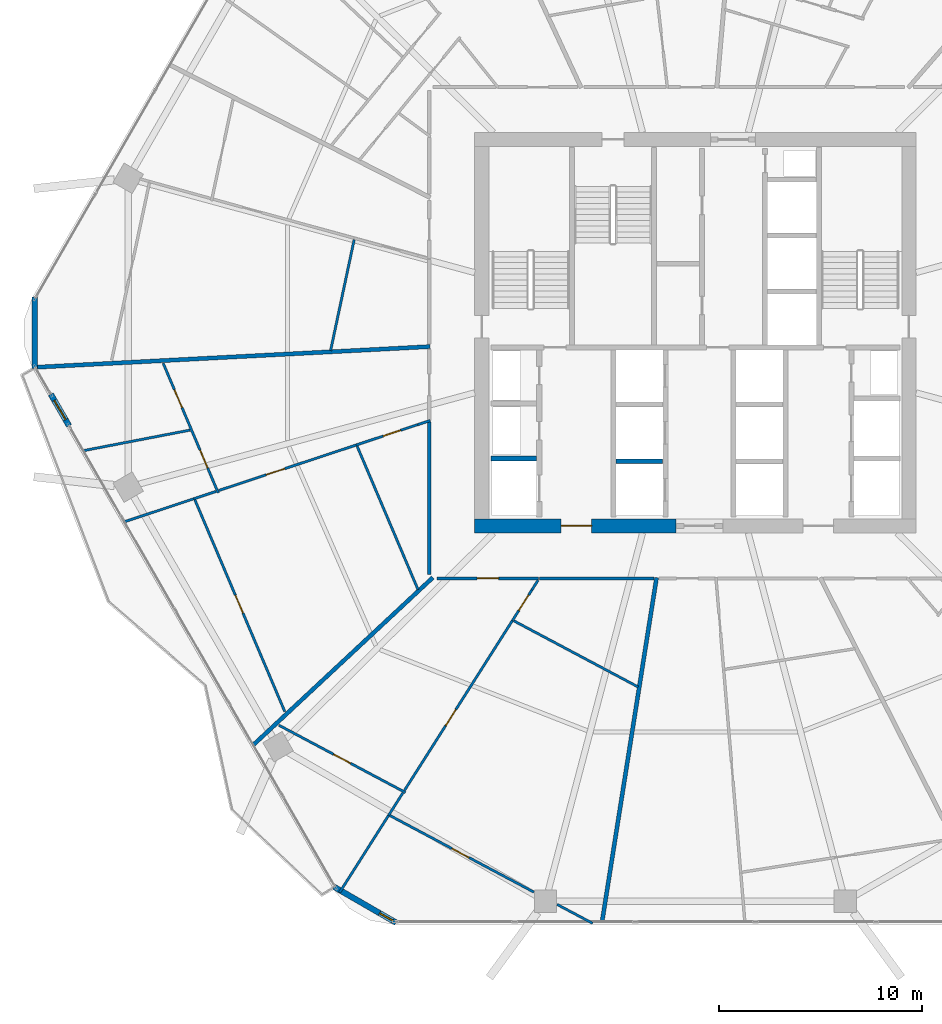
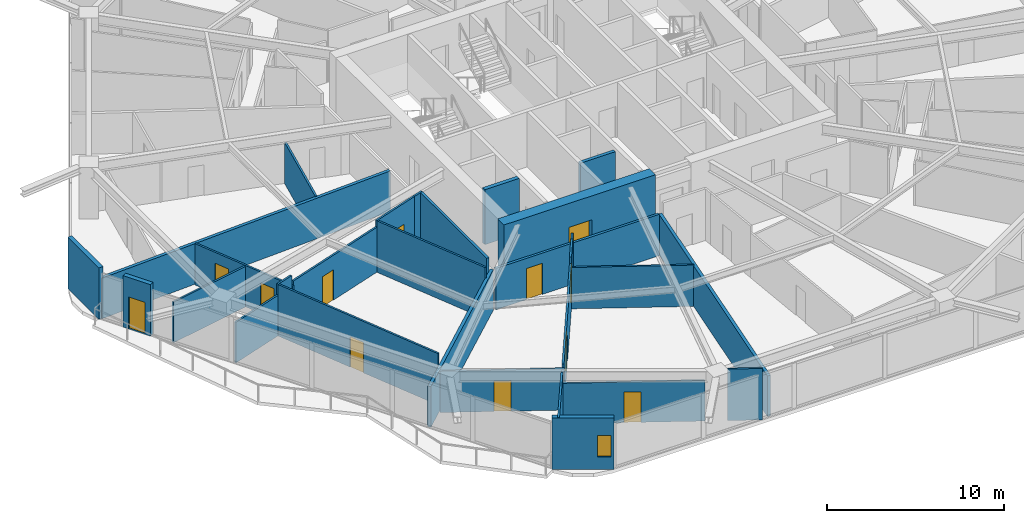
# One storey, part 21 of 29: 31 walls, 12 doors, 1 window, 13 openings.
"""IFC4 building model written with IfcOpenShell, lengths in metres."""

from ifc_helpers import new_model, si_unit, direction, frame, frame_2d, origin, place, context, subcontext, project, spatial, rectangle, extrude, material, layer, layer_set, type_object, element, fill, save


model = new_model("IFC4")

# Units and contexts
model_context = context("Model", 3, precision=1e-05, world=origin(), true_north=direction((0.0, 1.0)))
body_context = subcontext(model_context, "Body", "Model", "MODEL_VIEW")
ifc_project = project(units=[si_unit("LENGTHUNIT", "METRE"), si_unit("AREAUNIT", "SQUARE_METRE"), si_unit("VOLUMEUNIT", "CUBIC_METRE"), si_unit("PLANEANGLEUNIT", "RADIAN"), si_unit("MASSUNIT", "GRAM", prefix="KILO")], contexts=[model_context])

# Site, building, storey
site_placement = place(None, origin())
site = spatial("IfcSite", under=ifc_project, at=site_placement, CompositionType="ELEMENT")
building_placement = place(site_placement, origin())
building = spatial("IfcBuilding", under=site, at=building_placement, Name="Zuhravey Tower", CompositionType="ELEMENT")
storey_placement = place(building_placement, frame((0.0, 0.0, 134.199951171875)))
storey = spatial("IfcBuildingStorey", under=building, at=storey_placement, Name="L33", CompositionType="ELEMENT", Elevation=134.199951171875)

# Wall, opening, door
ifc_material_1 = material(Name="Concrete C60/75", Category="concrete")
ifc_layer_1 = layer(ifc_material_1, 0.699951171875)
ifc_layer_set_1 = layer_set([ifc_layer_1], Name="Concrete C60/75")
wall_type_1 = type_object("IfcWallType", Name="Core Shear Wall 700", PredefinedType="SHEAR", material=ifc_layer_set_1)
wall_1_placement = place(storey_placement, frame((25.14990234375, 22.5, 0.0), z_axis=(0.0, 0.0, 1.0), x_axis=(1.0, 0.0, 0.0)))
wall_1 = element("IfcWall", 1, at=wall_1_placement, inside=storey, type_object=wall_type_1, Name="L33 South-West Core Shear Wall CW70", PredefinedType="SHEAR", context=body_context, shape_type="SweptSolid", body=[
    extrude(rectangle(XDim=9.900146484375, YDim=0.699951171875, at=frame_2d((4.9501953125, 0.0))), origin(), (0.0, 0.0, 1.0), 3.800048828125),
])
opening_1_placement = place(wall_1_placement, frame((4.25, 0.0, 0.0)))
opening_1 = element("IfcOpeningElement", 2, at=opening_1_placement, cuts=wall_1, Name="Opening FFD1", PredefinedType="OPENING", context=body_context, shape_type="SweptSolid", body=[
    extrude(rectangle(XDim=1.5, YDim=2.14990234375, at=frame_2d((0.75, 1.074951171875))), frame((0.0, 0.362060546875, 0.0), z_axis=(0.0, -1.0, 0.0), x_axis=(1.0, 0.0, 0.0)), (0.0, 0.0, 1.0), 0.723876953125),
])
ifc_material_2 = material(Name="Galvanised fire-rated steel leaf", Category="steel")
door_type_1 = type_object("IfcDoorType", Name="Firefighting Lobby Double Door 1500x2150", OperationType="DOUBLE_DOOR_SINGLE_SWING", PredefinedType="DOOR", material=ifc_material_2)
door_1_placement = place(opening_1_placement, origin())
door_1 = element("IfcDoor", 3, at=door_1_placement, inside=storey, type_object=door_type_1, Name="L33 Firefighting Lobby West Door", OperationType="DOUBLE_DOOR_SINGLE_SWING", OverallHeight=2.14990234375, OverallWidth=1.5, PredefinedType="DOOR", context=body_context, shape_type="SweptSolid", body=[
    extrude(rectangle(XDim=1.5, YDim=2.14990234375, at=frame_2d((0.75, 1.074951171875))), frame((0.0, 0.02490234375, 0.0), z_axis=(0.0, -1.0, 0.0), x_axis=(1.0, 0.0, 0.0)), (0.0, 0.0, 1.0), 0.050048828125),
])
fill(opening_1, door_1)

ifc_material_3 = material(Name="Gypsum fire-rated stud partition")
ifc_layer_2 = layer(ifc_material_3, 0.159912109375)
ifc_layer_set_2 = layer_set([ifc_layer_2], Name="Gypsum fire-rated stud partition")
wall_type_2 = type_object("IfcWallType", Name="Corridor Fire Partition 160", PredefinedType="PARTITIONING", material=ifc_layer_set_2)
wall_2_placement = place(storey_placement, frame((23.29931640625, 19.919921875, 0.0), z_axis=(0.0, 0.0, 1.0), x_axis=(1.0, 0.0, 0.0)))
wall_2 = element("IfcWall", 4, at=wall_2_placement, inside=storey, type_object=wall_type_2, Name="L33 IW16 Partition 054", PredefinedType="PARTITIONING", context=body_context, shape_type="SweptSolid", body=[
    extrude(rectangle(XDim=4.9990234375, YDim=0.159912109375, at=frame_2d((2.49951171875, 0.0))), origin(), (0.0, 0.0, 1.0), 2.85009765625),
])
opening_2_placement = place(wall_2_placement, frame((1.974609375, 0.0, 0.0)))
opening_2 = element("IfcOpeningElement", 5, at=opening_2_placement, cuts=wall_2, Name="Opening APD1", PredefinedType="OPENING", context=body_context, shape_type="SweptSolid", body=[
    extrude(rectangle(XDim=1.050048828125, YDim=2.14990234375, at=frame_2d((0.52490234375, 1.074951171875))), frame((0.0, 0.092041015625, 0.0), z_axis=(0.0, -1.0, 0.0), x_axis=(1.0, 0.0, 0.0)), (0.0, 0.0, 1.0), 0.183837890625),
])
ifc_material_4 = material(Name="Solid-core oak fire-rated leaf")
door_type_2 = type_object("IfcDoorType", Name="Apartment Entrance Fire Door 1050x2150", OperationType="NOTDEFINED", PredefinedType="DOOR", material=ifc_material_4)
door_2_placement = place(opening_2_placement, frame((1.050048828125, 0.0, 0.0), z_axis=(0.0, 0.0, 1.0), x_axis=(-1.0, 0.0, 0.0)))
door_2 = element("IfcDoor", 6, at=door_2_placement, inside=storey, type_object=door_type_2, Name="L33 Door 054.1", OperationType="SINGLE_SWING_RIGHT", OverallHeight=2.14990234375, OverallWidth=1.050048828125, PredefinedType="DOOR", context=body_context, shape_type="SweptSolid", body=[
    extrude(rectangle(XDim=1.050048828125, YDim=2.14990234375, at=frame_2d((0.52490234375, 1.074951171875))), frame((0.0, 0.02490234375, 0.0), z_axis=(0.0, -1.0, 0.0), x_axis=(1.0, 0.0, 0.0)), (0.0, 0.0, 1.0), 0.050048828125),
])
fill(opening_2, door_2)

# Walls
wall_3_placement = place(storey_placement, frame((22.919921875, 27.597412109375, 0.0), z_axis=(0.0, 0.0, 1.0), x_axis=(0.0, -1.0, 0.0)))
element("IfcWall", 7, at=wall_3_placement, inside=storey, type_object=wall_type_2, Name="L33 IW16 Partition 137", PredefinedType="PARTITIONING", context=body_context, shape_type="SweptSolid", body=[
    extrude(rectangle(XDim=7.497314453125, YDim=0.159912109375, at=frame_2d((3.74853515625, 0.0))), origin(), (0.0, 0.0, 1.0), 3.550048828125),
])
wall_4_placement = place(storey_placement, frame((28.345703125, 19.919921875, 0.0), z_axis=(0.0, 0.0, 1.0), x_axis=(1.0, 0.0, 0.0)))
element("IfcWall", 8, at=wall_4_placement, inside=storey, type_object=wall_type_2, Name="L33 IW16 Partition 138", PredefinedType="PARTITIONING", context=body_context, shape_type="SweptSolid", body=[
    extrude(rectangle(XDim=5.612548828125, YDim=0.159912109375, at=frame_2d((2.80615234375, 0.0))), origin(), (0.0, 0.0, 1.0), 2.85009765625),
])

# Wall, opening, window
ifc_material_5 = material(Name="Precast concrete C40/50", Category="concrete")
ifc_layer_3 = layer(ifc_material_5, 0.280029296875)
ifc_layer_set_3 = layer_set([ifc_layer_3], Name="Precast concrete C40/50")
wall_type_3 = type_object("IfcWallType", Name="Crown Architectural Wall 280", PredefinedType="SOLIDWALL", material=ifc_layer_set_3)
wall_5_placement = place(storey_placement, frame((21.28271484375, 2.993896484375, 0.0), z_axis=(0.0, 0.0, 1.0), x_axis=(-0.866007452331, 0.500031091541, 0.0)))
wall_5 = element("IfcWall", 9, at=wall_5_placement, inside=storey, type_object=wall_type_3, Name="L33 Rounded Corner Closure Wall EW28-04", PredefinedType="SOLIDWALL", context=body_context, shape_type="SweptSolid", body=[
    extrude(rectangle(XDim=3.514892578125, YDim=0.280029296875, at=frame_2d((1.75732421875, 0.0))), origin(), (0.0, 0.0, 1.0), 3.550048828125),
])
opening_3_placement = place(wall_5_placement, frame((0.18212890625, 0.0, 0.85009765625)))
opening_3 = element("IfcOpeningElement", 10, at=opening_3_placement, cuts=wall_5, Name="Opening WN5", PredefinedType="OPENING", context=body_context, shape_type="SweptSolid", body=[
    extrude(rectangle(XDim=0.75, YDim=1.5, at=frame_2d((0.375, 0.75))), frame((0.0, 0.152099609375, 0.0), z_axis=(0.0, -1.0, 0.0), x_axis=(1.0, 0.0, 0.0)), (0.0, 0.0, 1.0), 0.303955078125),
])
ifc_material_6 = material(Name="Thermally broken aluminium and triple low-E glass", Category="aluminium")
window_type = type_object("IfcWindowType", Name="Residential Corner Casement Window 750x1500", PartitioningType="SINGLE_PANEL", PredefinedType="WINDOW", material=ifc_material_6)
window_placement = place(opening_3_placement, origin())
window = element("IfcWindow", 11, at=window_placement, inside=storey, type_object=window_type, Name="L33 Corner Casement Window WN5-04.1", OverallHeight=1.5, OverallWidth=0.75, PartitioningType="SINGLE_PANEL", PredefinedType="WINDOW", context=body_context, shape_type="SweptSolid", body=[
    extrude(rectangle(XDim=0.75, YDim=1.5, at=frame_2d((0.375, 0.75))), frame((0.0, 0.030029296875, 0.0), z_axis=(0.0, -1.0, 0.0), x_axis=(1.0, 0.0, 0.0)), (0.0, 0.0, 1.0), 0.06005859375),
])
fill(opening_3, window)

# Wall, opening, door
wall_6_placement = place(storey_placement, frame((5.203369140625, 27.424560546875, 0.0), z_axis=(0.0, 0.0, 1.0), x_axis=(-0.499982180423, 0.866035691677, 0.0)))
wall_6 = element("IfcWall", 12, at=wall_6_placement, inside=storey, type_object=wall_type_3, Name="L33 Face 4 Facade Pier EW28-1", PredefinedType="SOLIDWALL", context=body_context, shape_type="SweptSolid", body=[
    extrude(rectangle(XDim=1.7900390625, YDim=0.280029296875, at=frame_2d((0.89501953125, 0.0))), origin(), (0.0, 0.0, 1.0), 3.550048828125),
])
opening_4_placement = place(wall_6_placement, frame((0.344970703125, 0.0, 0.0)))
opening_4 = element("IfcOpeningElement", 13, at=opening_4_placement, cuts=wall_6, Name="Opening BLD1", PredefinedType="OPENING", context=body_context, shape_type="SweptSolid", body=[
    extrude(rectangle(XDim=1.10009765625, YDim=2.199951171875, at=frame_2d((0.550048828125, 1.10009765625))), frame((0.0, 0.152099609375, 0.0), z_axis=(0.0, -1.0, 0.0), x_axis=(1.0, 0.0, 0.0)), (0.0, 0.0, 1.0), 0.303955078125),
])
ifc_material_7 = material(Name="Thermally broken aluminium and low-E glass", Category="aluminium")
door_type_3 = type_object("IfcDoorType", Name="Balcony & Sky-Tray Glazed Door 1100x2200", OperationType="NOTDEFINED", PredefinedType="DOOR", material=ifc_material_7)
door_3_placement = place(opening_4_placement, frame((1.10009765625, 0.0, 0.0), z_axis=(0.0, 0.0, 1.0), x_axis=(-1.0, 0.0, 0.0)))
door_3 = element("IfcDoor", 14, at=door_3_placement, inside=storey, type_object=door_type_3, Name="L33 Face 4 Wave Balcony Door", OperationType="SINGLE_SWING_LEFT", OverallHeight=2.199951171875, OverallWidth=1.10009765625, PredefinedType="DOOR", context=body_context, shape_type="SweptSolid", body=[
    extrude(rectangle(XDim=1.10009765625, YDim=2.199951171875, at=frame_2d((0.550048828125, 1.10009765625))), frame((0.0, 0.02490234375, 0.0), z_axis=(0.0, -1.0, 0.0), x_axis=(1.0, 0.0, 0.0)), (0.0, 0.0, 1.0), 0.050048828125),
])
fill(opening_4, door_3)

# Walls
wall_7_placement = place(storey_placement, frame((3.521484375, 30.242431640625, 0.0), z_axis=(0.0, 0.0, 1.0), x_axis=(0.0, 1.0, 0.0)))
element("IfcWall", 15, at=wall_7_placement, inside=storey, type_object=wall_type_3, Name="L33 Rounded Corner Closure Wall EW28-06", PredefinedType="SOLIDWALL", context=body_context, shape_type="SweptSolid", body=[
    extrude(rectangle(XDim=3.51513671875, YDim=0.280029296875, at=frame_2d((1.757568359375, 0.0))), origin(), (0.0, 0.0, 1.0), 3.550048828125),
])
ifc_material_8 = material(Name="Concrete C50/60", Category="concrete")
ifc_layer_4 = layer(ifc_material_8, 0.25)
ifc_layer_set_4 = layer_set([ifc_layer_4], Name="Concrete C50/60")
wall_type_4 = type_object("IfcWallType", Name="Firefighting Shaft & Stair Wall 250", PredefinedType="SOLIDWALL", material=ifc_layer_set_4)
wall_8_placement = place(storey_placement, frame((25.949951171875, 25.824951171875, 0.0), z_axis=(0.0, 0.0, 1.0), x_axis=(1.0, 0.0, 0.0)))
element("IfcWall", 16, at=wall_8_placement, inside=storey, type_object=wall_type_4, Name="L33 FW25 Shaft Wall 009", PredefinedType="SOLIDWALL", context=body_context, shape_type="SweptSolid", body=[
    extrude(rectangle(XDim=2.25, YDim=0.25, at=frame_2d((1.125, 0.0))), origin(), (0.0, 0.0, 1.0), 3.800048828125),
])
ifc_material_9 = material(Name="Gypsum double-stud party assembly")
ifc_layer_5 = layer(ifc_material_9, 0.199951171875)
ifc_layer_set_5 = layer_set([ifc_layer_5], Name="Gypsum double-stud party assembly")
wall_type_5 = type_object("IfcWallType", Name="Inter-Tenancy Party Wall 200", PredefinedType="PARTITIONING", material=ifc_layer_set_5)
wall_9_placement = place(storey_placement, frame((22.9599609375, 31.316650390625, 0.0), z_axis=(0.0, 0.0, 1.0), x_axis=(-0.998629494248, -0.052336729143, 0.0)))
element("IfcWall", 17, at=wall_9_placement, inside=storey, type_object=wall_type_5, Name="L33 IW20 Partition 103", PredefinedType="PARTITIONING", context=body_context, shape_type="SweptSolid", body=[
    extrude(rectangle(XDim=19.44287109375, YDim=0.199951171875, at=frame_2d((9.721435546875, 0.0))), origin(), (0.0, 0.0, 1.0), 2.800048828125),
])
wall_10_placement = place(storey_placement, frame((23.08935546875, 19.960693359375, 0.0), z_axis=(0.0, 0.0, 1.0), x_axis=(-0.731358624603, -0.68199308077, 0.0)))
element("IfcWall", 18, at=wall_10_placement, inside=storey, type_object=wall_type_5, Name="L33 IW20 Partition 108", PredefinedType="PARTITIONING", context=body_context, shape_type="SweptSolid", body=[
    extrude(rectangle(XDim=12.067138671875, YDim=0.199951171875, at=frame_2d((6.03369140625, 0.0))), origin(), (0.0, 0.0, 1.0), 2.800048828125),
])
wall_11_placement = place(storey_placement, frame((34.093017578125, 19.9599609375, 0.0), z_axis=(0.0, 0.0, 1.0), x_axis=(-0.156438289387, -0.987687734871, 0.0)))
element("IfcWall", 19, at=wall_11_placement, inside=storey, type_object=wall_type_5, Name="L33 IW20 Partition 113", PredefinedType="PARTITIONING", context=body_context, shape_type="SweptSolid", body=[
    extrude(rectangle(XDim=17.12939453125, YDim=0.199951171875, at=frame_2d((8.564697265625, 0.0))), origin(), (0.0, 0.0, 1.0), 2.800048828125),
])
ifc_material_10 = material(Name="Gypsum acoustic stud assembly")
ifc_layer_6 = layer(ifc_material_10, 0.219970703125)
ifc_layer_set_6 = layer_set([ifc_layer_6], Name="Gypsum acoustic stud assembly")
wall_type_6 = type_object("IfcWallType", Name="School Acoustic Compartment Wall 220", PredefinedType="PARTITIONING", material=ifc_layer_set_6)
wall_12_placement = place(storey_placement, frame((32.10791015625, 25.675048828125, 0.0), z_axis=(0.0, 0.0, 1.0), x_axis=(1.0, 0.0, 0.0)))
element("IfcWall", 20, at=wall_12_placement, inside=storey, type_object=wall_type_6, Name="L33 IW22 Partition 071", PredefinedType="PARTITIONING", context=body_context, shape_type="SweptSolid", body=[
    extrude(rectangle(XDim=2.2841796875, YDim=0.219970703125, at=frame_2d((1.14208984375, 0.0))), origin(), (0.0, 0.0, 1.0), 3.550048828125),
])

# Wall, openings, doors
ifc_material_11 = material(Name="Gypsum metal-stud partition")
ifc_layer_7 = layer(ifc_material_11, 0.1201171875)
ifc_layer_set_7 = layer_set([ifc_layer_7], Name="Gypsum metal-stud partition")
wall_type_7 = type_object("IfcWallType", Name="Unit Internal Partition 120", PredefinedType="PARTITIONING", material=ifc_layer_set_7)
wall_13_placement = place(storey_placement, frame((9.83203125, 30.499755859375, 0.0), z_axis=(0.0, 0.0, 1.0), x_axis=(0.390720983602, -0.920509159636, 0.0)))
wall_13 = element("IfcWall", 21, at=wall_13_placement, inside=storey, type_object=wall_type_7, Name="L33 IW12 Partition 043", PredefinedType="PARTITIONING", context=body_context, shape_type="SweptSolid", body=[
    extrude(rectangle(XDim=6.923828125, YDim=0.1201171875, at=frame_2d((3.4619140625, 0.0))), origin(), (0.0, 0.0, 1.0), 2.85009765625),
])
opening_5_placement = place(wall_13_placement, frame((1.42431640625, 0.0, 0.0)))
opening_5 = element("IfcOpeningElement", 22, at=opening_5_placement, cuts=wall_13, Name="Opening IND1", PredefinedType="OPENING", context=body_context, shape_type="SweptSolid", body=[
    extrude(rectangle(XDim=0.949951171875, YDim=2.10009765625, at=frame_2d((0.47509765625, 1.050048828125))), frame((0.0, 0.072021484375, 0.0), z_axis=(0.0, -1.0, 0.0), x_axis=(1.0, 0.0, 0.0)), (0.0, 0.0, 1.0), 0.14404296875),
])
opening_6_placement = place(wall_13_placement, frame((4.6435546875, 0.0, 0.0)))
opening_6 = element("IfcOpeningElement", 23, at=opening_6_placement, cuts=wall_13, Name="Opening IND1", PredefinedType="OPENING", context=body_context, shape_type="SweptSolid", body=[
    extrude(rectangle(XDim=0.949951171875, YDim=2.10009765625, at=frame_2d((0.47509765625, 1.050048828125))), frame((0.0, 0.072021484375, 0.0), z_axis=(0.0, -1.0, 0.0), x_axis=(1.0, 0.0, 0.0)), (0.0, 0.0, 1.0), 0.14404296875),
])
ifc_material_12 = material(Name="Painted engineered timber leaf", Category="wood")
door_type_4 = type_object("IfcDoorType", Name="Internal Room & Bedroom Door 950x2100", OperationType="NOTDEFINED", PredefinedType="DOOR", material=ifc_material_12)
door_4_placement = place(opening_5_placement, frame((0.949951171875, 0.0, 0.0), z_axis=(0.0, 0.0, 1.0), x_axis=(-1.0, 0.0, 0.0)))
door_4 = element("IfcDoor", 24, at=door_4_placement, inside=storey, type_object=door_type_4, Name="Apartment L33-06 Family Study Door", OperationType="SINGLE_SWING_RIGHT", OverallHeight=2.10009765625, OverallWidth=0.949951171875, PredefinedType="DOOR", context=body_context, shape_type="SweptSolid", body=[
    extrude(rectangle(XDim=0.949951171875, YDim=2.10009765625, at=frame_2d((0.47509765625, 1.050048828125))), frame((0.0, 0.02490234375, 0.0), z_axis=(0.0, -1.0, 0.0), x_axis=(1.0, 0.0, 0.0)), (0.0, 0.0, 1.0), 0.050048828125),
])
fill(opening_5, door_4)
door_5_placement = place(opening_6_placement, frame((0.949951171875, 0.0, 0.0), z_axis=(0.0, 0.0, 1.0), x_axis=(-1.0, 0.0, 0.0)))
door_5 = element("IfcDoor", 25, at=door_5_placement, inside=storey, type_object=door_type_4, Name="Apartment L33-06 Dining Room Door", OperationType="SINGLE_SWING_LEFT", OverallHeight=2.10009765625, OverallWidth=0.949951171875, PredefinedType="DOOR", context=body_context, shape_type="SweptSolid", body=[
    extrude(rectangle(XDim=0.949951171875, YDim=2.10009765625, at=frame_2d((0.47509765625, 1.050048828125))), frame((0.0, 0.02490234375, 0.0), z_axis=(0.0, -1.0, 0.0), x_axis=(1.0, 0.0, 0.0)), (0.0, 0.0, 1.0), 0.050048828125),
])
fill(opening_6, door_5)

# Wall, opening, door
wall_14_placement = place(storey_placement, frame((22.35009765625, 27.48046875, 0.0), z_axis=(0.0, 0.0, 1.0), x_axis=(-0.949315845657, -0.314323758543, 0.0)))
wall_14 = element("IfcWall", 26, at=wall_14_placement, inside=storey, type_object=wall_type_7, Name="L33 IW12 Partition 044", PredefinedType="PARTITIONING", context=body_context, shape_type="SweptSolid", body=[
    extrude(rectangle(XDim=3.19384765625, YDim=0.1201171875, at=frame_2d((1.596923828125, 0.0))), origin(), (0.0, 0.0, 1.0), 3.550048828125),
])
opening_7_placement = place(wall_14_placement, frame((0.891357421875, 0.0, 0.0)))
opening_7 = element("IfcOpeningElement", 27, at=opening_7_placement, cuts=wall_14, Name="Opening WCD1", PredefinedType="OPENING", context=body_context, shape_type="SweptSolid", body=[
    extrude(rectangle(XDim=0.89990234375, YDim=2.10009765625, at=frame_2d((0.449951171875, 1.050048828125))), frame((0.0, 0.072021484375, 0.0), z_axis=(0.0, -1.0, 0.0), x_axis=(1.0, 0.0, 0.0)), (0.0, 0.0, 1.0), 0.14404296875),
])
ifc_material_13 = material(Name="Moisture-resistant timber leaf", Category="wood")
door_type_5 = type_object("IfcDoorType", Name="Bathroom & WC Internal Door 900x2100", OperationType="NOTDEFINED", PredefinedType="DOOR", material=ifc_material_13)
door_6_placement = place(opening_7_placement, origin())
door_6 = element("IfcDoor", 28, at=door_6_placement, inside=storey, type_object=door_type_5, Name="Apartment L33-06 Bathroom Door", OperationType="SINGLE_SWING_RIGHT", OverallHeight=2.10009765625, OverallWidth=0.89990234375, PredefinedType="DOOR", context=body_context, shape_type="SweptSolid", body=[
    extrude(rectangle(XDim=0.89990234375, YDim=2.10009765625, at=frame_2d((0.449951171875, 1.050048828125))), frame((0.0, 0.02490234375, 0.0), z_axis=(0.0, -1.0, 0.0), x_axis=(1.0, 0.0, 0.0)), (0.0, 0.0, 1.0), 0.050048828125),
])
fill(opening_7, door_6)

wall_15_placement = place(storey_placement, frame((19.318115234375, 26.4765625, 0.0), z_axis=(0.0, 0.0, 1.0), x_axis=(-0.949319529685, -0.314312631878, 0.0)))
wall_15 = element("IfcWall", 29, at=wall_15_placement, inside=storey, type_object=wall_type_7, Name="L33 IW12 Partition 045", PredefinedType="PARTITIONING", context=body_context, shape_type="SweptSolid", body=[
    extrude(rectangle(XDim=7.11572265625, YDim=0.1201171875, at=frame_2d((3.557861328125, 0.0))), origin(), (0.0, 0.0, 1.0), 3.10009765625),
])
opening_8_placement = place(wall_15_placement, frame((3.700927734375, 0.0, 0.0)))
opening_8 = element("IfcOpeningElement", 30, at=opening_8_placement, cuts=wall_15, Name="Opening IND1", PredefinedType="OPENING", context=body_context, shape_type="SweptSolid", body=[
    extrude(rectangle(XDim=0.949951171875, YDim=2.10009765625, at=frame_2d((0.47509765625, 1.050048828125))), frame((0.0, 0.072021484375, 0.0), z_axis=(0.0, -1.0, 0.0), x_axis=(1.0, 0.0, 0.0)), (0.0, 0.0, 1.0), 0.14404296875),
])
door_7_placement = place(opening_8_placement, origin())
door_7 = element("IfcDoor", 31, at=door_7_placement, inside=storey, type_object=door_type_4, Name="Apartment L33-06 Home Office Door", OperationType="SINGLE_SWING_LEFT", OverallHeight=2.10009765625, OverallWidth=0.949951171875, PredefinedType="DOOR", context=body_context, shape_type="SweptSolid", body=[
    extrude(rectangle(XDim=0.949951171875, YDim=2.10009765625, at=frame_2d((0.47509765625, 1.050048828125))), frame((0.0, 0.02490234375, 0.0), z_axis=(0.0, -1.0, 0.0), x_axis=(1.0, 0.0, 0.0)), (0.0, 0.0, 1.0), 0.050048828125),
])
fill(opening_8, door_7)

# Wall
wall_16_placement = place(storey_placement, frame((12.433349609375, 24.197021484375, 0.0), z_axis=(0.0, 0.0, 1.0), x_axis=(-0.949318499062, -0.314315744656, 0.0)))
element("IfcWall", 32, at=wall_16_placement, inside=storey, type_object=wall_type_7, Name="L33 IW12 Partition 046", PredefinedType="PARTITIONING", context=body_context, shape_type="SweptSolid", body=[
    extrude(rectangle(XDim=1.149658203125, YDim=0.1201171875, at=frame_2d((0.57470703125, 0.0))), origin(), (0.0, 0.0, 1.0), 3.550048828125),
])

# Wall, opening, door
wall_17_placement = place(storey_placement, frame((11.392333984375, 23.780517578125, 0.0), z_axis=(0.0, 0.0, 1.0), x_axis=(0.390742140439, -0.920500179079, 0.0)))
wall_17 = element("IfcWall", 33, at=wall_17_placement, inside=storey, type_object=wall_type_7, Name="L33 IW12 Partition 047", PredefinedType="PARTITIONING", context=body_context, shape_type="SweptSolid", body=[
    extrude(rectangle(XDim=11.3134765625, YDim=0.1201171875, at=frame_2d((5.65673828125, 0.0))), origin(), (0.0, 0.0, 1.0), 3.550048828125),
])
opening_9_placement = place(wall_17_placement, frame((5.097412109375, 0.0, 0.0)))
opening_9 = element("IfcOpeningElement", 34, at=opening_9_placement, cuts=wall_17, Name="Opening IND1", PredefinedType="OPENING", context=body_context, shape_type="SweptSolid", body=[
    extrude(rectangle(XDim=0.949951171875, YDim=2.10009765625, at=frame_2d((0.47509765625, 1.050048828125))), frame((0.0, 0.072021484375, 0.0), z_axis=(0.0, -1.0, 0.0), x_axis=(1.0, 0.0, 0.0)), (0.0, 0.0, 1.0), 0.14404296875),
])
door_8_placement = place(opening_9_placement, frame((0.949951171875, 0.0, 0.0), z_axis=(0.0, 0.0, 1.0), x_axis=(-1.0, 0.0, 0.0)))
door_8 = element("IfcDoor", 35, at=door_8_placement, inside=storey, type_object=door_type_4, Name="Apartment L33-06 Bedroom 1 Door", OperationType="SINGLE_SWING_RIGHT", OverallHeight=2.10009765625, OverallWidth=0.949951171875, PredefinedType="DOOR", context=body_context, shape_type="SweptSolid", body=[
    extrude(rectangle(XDim=0.949951171875, YDim=2.10009765625, at=frame_2d((0.47509765625, 1.050048828125))), frame((0.0, 0.02490234375, 0.0), z_axis=(0.0, -1.0, 0.0), x_axis=(1.0, 0.0, 0.0)), (0.0, 0.0, 1.0), 0.050048828125),
])
fill(opening_9, door_8)

wall_18_placement = place(storey_placement, frame((15.5185546875, 12.70166015625, 0.0), z_axis=(0.0, 0.0, 1.0), x_axis=(0.882962431702, -0.469443653917, 0.0)))
wall_18 = element("IfcWall", 36, at=wall_18_placement, inside=storey, type_object=wall_type_7, Name="L33 IW12 Partition 049", PredefinedType="PARTITIONING", context=body_context, shape_type="SweptSolid", body=[
    extrude(rectangle(XDim=7.0546875, YDim=0.1201171875, at=frame_2d((3.52734375, 0.0))), origin(), (0.0, 0.0, 1.0), 2.85009765625),
])
opening_10_placement = place(wall_18_placement, frame((3.05224609375, 0.0, 0.0)))
opening_10 = element("IfcOpeningElement", 37, at=opening_10_placement, cuts=wall_18, Name="Opening IND1", PredefinedType="OPENING", context=body_context, shape_type="SweptSolid", body=[
    extrude(rectangle(XDim=0.949951171875, YDim=2.10009765625, at=frame_2d((0.47509765625, 1.050048828125))), frame((0.0, 0.072021484375, 0.0), z_axis=(0.0, -1.0, 0.0), x_axis=(1.0, 0.0, 0.0)), (0.0, 0.0, 1.0), 0.14404296875),
])
door_9_placement = place(opening_10_placement, frame((0.949951171875, 0.0, 0.0), z_axis=(0.0, 0.0, 1.0), x_axis=(-1.0, 0.0, 0.0)))
door_9 = element("IfcDoor", 38, at=door_9_placement, inside=storey, type_object=door_type_4, Name="Apartment L33-07 Family Study Door", OperationType="SINGLE_SWING_RIGHT", OverallHeight=2.10009765625, OverallWidth=0.949951171875, PredefinedType="DOOR", context=body_context, shape_type="SweptSolid", body=[
    extrude(rectangle(XDim=0.949951171875, YDim=2.10009765625, at=frame_2d((0.47509765625, 1.050048828125))), frame((0.0, 0.02490234375, 0.0), z_axis=(0.0, -1.0, 0.0), x_axis=(1.0, 0.0, 0.0)), (0.0, 0.0, 1.0), 0.050048828125),
])
fill(opening_10, door_9)

wall_19_placement = place(storey_placement, frame((27.959716796875, 19.35009765625, 0.0), z_axis=(0.0, 0.0, 1.0), x_axis=(-0.536397771872, -0.843965301615, 0.0)))
wall_19 = element("IfcWall", 39, at=wall_19_placement, inside=storey, type_object=wall_type_7, Name="L33 IW12 Partition 050", PredefinedType="PARTITIONING", context=body_context, shape_type="SweptSolid", body=[
    extrude(rectangle(XDim=1.785888671875, YDim=0.1201171875, at=frame_2d((0.89306640625, 0.0))), origin(), (0.0, 0.0, 1.0), 3.550048828125),
])
opening_11_placement = place(wall_19_placement, frame((0.300048828125, 0.0, 0.0)))
opening_11 = element("IfcOpeningElement", 40, at=opening_11_placement, cuts=wall_19, Name="Opening WCD1", PredefinedType="OPENING", context=body_context, shape_type="SweptSolid", body=[
    extrude(rectangle(XDim=0.89990234375, YDim=2.10009765625, at=frame_2d((0.449951171875, 1.050048828125))), frame((0.0, 0.072021484375, 0.0), z_axis=(0.0, -1.0, 0.0), x_axis=(1.0, 0.0, 0.0)), (0.0, 0.0, 1.0), 0.14404296875),
])
door_10_placement = place(opening_11_placement, origin())
door_10 = element("IfcDoor", 41, at=door_10_placement, inside=storey, type_object=door_type_5, Name="Apartment L33-07 Bathroom Door", OperationType="SINGLE_SWING_LEFT", OverallHeight=2.10009765625, OverallWidth=0.89990234375, PredefinedType="DOOR", context=body_context, shape_type="SweptSolid", body=[
    extrude(rectangle(XDim=0.89990234375, YDim=2.10009765625, at=frame_2d((0.449951171875, 1.050048828125))), frame((0.0, 0.02490234375, 0.0), z_axis=(0.0, -1.0, 0.0), x_axis=(1.0, 0.0, 0.0)), (0.0, 0.0, 1.0), 0.050048828125),
])
fill(opening_11, door_10)

wall_20_placement = place(storey_placement, frame((27.001708984375, 17.8427734375, 0.0), z_axis=(0.0, 0.0, 1.0), x_axis=(-0.536410687373, -0.843957092791, 0.0)))
wall_20 = element("IfcWall", 42, at=wall_20_placement, inside=storey, type_object=wall_type_7, Name="L33 IW12 Partition 051", PredefinedType="PARTITIONING", context=body_context, shape_type="SweptSolid", body=[
    extrude(rectangle(XDim=9.891845703125, YDim=0.1201171875, at=frame_2d((4.94580078125, 0.0))), origin(), (0.0, 0.0, 1.0), 3.10009765625),
])
opening_12_placement = place(wall_20_placement, frame((5.173828125, 0.0, 0.0)))
opening_12 = element("IfcOpeningElement", 43, at=opening_12_placement, cuts=wall_20, Name="Opening IND1", PredefinedType="OPENING", context=body_context, shape_type="SweptSolid", body=[
    extrude(rectangle(XDim=0.949951171875, YDim=2.10009765625, at=frame_2d((0.47509765625, 1.050048828125))), frame((0.0, 0.072021484375, 0.0), z_axis=(0.0, -1.0, 0.0), x_axis=(1.0, 0.0, 0.0)), (0.0, 0.0, 1.0), 0.14404296875),
])
door_11_placement = place(opening_12_placement, origin())
door_11 = element("IfcDoor", 44, at=door_11_placement, inside=storey, type_object=door_type_4, Name="Apartment L33-07 Home Office Door", OperationType="SINGLE_SWING_RIGHT", OverallHeight=2.10009765625, OverallWidth=0.949951171875, PredefinedType="DOOR", context=body_context, shape_type="SweptSolid", body=[
    extrude(rectangle(XDim=0.949951171875, YDim=2.10009765625, at=frame_2d((0.47509765625, 1.050048828125))), frame((0.0, 0.02490234375, 0.0), z_axis=(0.0, -1.0, 0.0), x_axis=(1.0, 0.0, 0.0)), (0.0, 0.0, 1.0), 0.050048828125),
])
fill(opening_12, door_11)

# Wall
wall_21_placement = place(storey_placement, frame((21.622314453125, 9.37939453125, 0.0), z_axis=(0.0, 0.0, 1.0), x_axis=(-0.536420442339, -0.843950892553, 0.0)))
element("IfcWall", 45, at=wall_21_placement, inside=storey, type_object=wall_type_7, Name="L33 IW12 Partition 052", PredefinedType="PARTITIONING", context=body_context, shape_type="SweptSolid", body=[
    extrude(rectangle(XDim=1.3193359375, YDim=0.1201171875, at=frame_2d((0.65966796875, 0.0))), origin(), (0.0, 0.0, 1.0), 2.800048828125),
])

# Wall, opening, door
wall_22_placement = place(storey_placement, frame((20.98828125, 8.2548828125, 0.0), z_axis=(0.0, 0.0, 1.0), x_axis=(0.882953852394, -0.469459790124, 0.0)))
wall_22 = element("IfcWall", 46, at=wall_22_placement, inside=storey, type_object=wall_type_7, Name="L33 IW12 Partition 053", PredefinedType="PARTITIONING", context=body_context, shape_type="SweptSolid", body=[
    extrude(rectangle(XDim=8.00927734375, YDim=0.1201171875, at=frame_2d((4.004638671875, 0.0))), origin(), (0.0, 0.0, 1.0), 2.800048828125),
])
opening_13_placement = place(wall_22_placement, frame((3.4453125, 0.0, 0.0)))
opening_13 = element("IfcOpeningElement", 47, at=opening_13_placement, cuts=wall_22, Name="Opening IND1", PredefinedType="OPENING", context=body_context, shape_type="SweptSolid", body=[
    extrude(rectangle(XDim=0.949951171875, YDim=2.10009765625, at=frame_2d((0.47509765625, 1.050048828125))), frame((0.0, 0.072021484375, 0.0), z_axis=(0.0, -1.0, 0.0), x_axis=(1.0, 0.0, 0.0)), (0.0, 0.0, 1.0), 0.14404296875),
])
door_12_placement = place(opening_13_placement, frame((0.949951171875, 0.0, 0.0), z_axis=(0.0, 0.0, 1.0), x_axis=(-1.0, 0.0, 0.0)))
door_12 = element("IfcDoor", 48, at=door_12_placement, inside=storey, type_object=door_type_4, Name="Apartment L33-07 Bedroom 1 Door", OperationType="SINGLE_SWING_LEFT", OverallHeight=2.10009765625, OverallWidth=0.949951171875, PredefinedType="DOOR", context=body_context, shape_type="SweptSolid", body=[
    extrude(rectangle(XDim=0.949951171875, YDim=2.10009765625, at=frame_2d((0.47509765625, 1.050048828125))), frame((0.0, 0.02490234375, 0.0), z_axis=(0.0, -1.0, 0.0), x_axis=(1.0, 0.0, 0.0)), (0.0, 0.0, 1.0), 0.050048828125),
])
fill(opening_13, door_12)

# Walls
wall_23_placement = place(storey_placement, frame((19.223388671875, 36.57568359375, 0.0), z_axis=(0.0, 0.0, 1.0), x_axis=(-0.20792153834, -0.978145507527, 0.0)))
element("IfcWall", 49, at=wall_23_placement, inside=storey, type_object=wall_type_7, Name="L33 IW12 Partition 102", PredefinedType="PARTITIONING", context=body_context, shape_type="SweptSolid", body=[
    extrude(rectangle(XDim=5.5810546875, YDim=0.1201171875, at=frame_2d((2.79052734375, 0.0))), origin(), (0.0, 0.0, 1.0), 2.85009765625),
])
wall_24_placement = place(storey_placement, frame((11.154052734375, 27.2109375, 0.0), z_axis=(0.0, 0.0, 1.0), x_axis=(-0.981923696719, -0.189277187802, 0.0)))
element("IfcWall", 50, at=wall_24_placement, inside=storey, type_object=wall_type_7, Name="L33 IW12 Partition 104", PredefinedType="PARTITIONING", context=body_context, shape_type="SweptSolid", body=[
    extrude(rectangle(XDim=5.372314453125, YDim=0.1201171875, at=frame_2d((2.68603515625, 0.0))), origin(), (0.0, 0.0, 1.0), 2.800048828125),
])
wall_25_placement = place(storey_placement, frame((22.963623046875, 27.68359375, 0.0), z_axis=(0.0, 0.0, 1.0), x_axis=(-0.949323542327, -0.314300512223, 0.0)))
element("IfcWall", 51, at=wall_25_placement, inside=storey, type_object=wall_type_7, Name="L33 IW12 Partition 105", PredefinedType="PARTITIONING", context=body_context, shape_type="SweptSolid", body=[
    extrude(rectangle(XDim=0.646240234375, YDim=0.1201171875, at=frame_2d((0.3232421875, 0.0))), origin(), (0.0, 0.0, 1.0), 3.550048828125),
])
wall_26_placement = place(storey_placement, frame((11.342041015625, 23.835693359375, 0.0), z_axis=(0.0, 0.0, 1.0), x_axis=(-0.949318680093, -0.314315197894, 0.0)))
element("IfcWall", 52, at=wall_26_placement, inside=storey, type_object=wall_type_7, Name="L33 IW12 Partition 106", PredefinedType="PARTITIONING", context=body_context, shape_type="SweptSolid", body=[
    extrude(rectangle(XDim=3.60107421875, YDim=0.1201171875, at=frame_2d((1.800537109375, 0.0))), origin(), (0.0, 0.0, 1.0), 2.800048828125),
])
wall_27_placement = place(storey_placement, frame((19.368408203125, 26.42138671875, 0.0), z_axis=(0.0, 0.0, 1.0), x_axis=(0.390744575167, -0.92049914556, 0.0)))
element("IfcWall", 53, at=wall_27_placement, inside=storey, type_object=wall_type_7, Name="L33 IW12 Partition 107", PredefinedType="PARTITIONING", context=body_context, shape_type="SweptSolid", body=[
    extrude(rectangle(XDim=7.66259765625, YDim=0.1201171875, at=frame_2d((3.831298828125, 0.0))), origin(), (0.0, 0.0, 1.0), 3.550048828125),
])
wall_28_placement = place(storey_placement, frame((28.26611328125, 19.83203125, 0.0), z_axis=(0.0, 0.0, 1.0), x_axis=(-0.536515838244, -0.843890250752, 0.0)))
element("IfcWall", 54, at=wall_28_placement, inside=storey, type_object=wall_type_7, Name="L33 IW12 Partition 109", PredefinedType="PARTITIONING", context=body_context, shape_type="SweptSolid", body=[
    extrude(rectangle(XDim=0.571044921875, YDim=0.1201171875, at=frame_2d((0.28564453125, 0.0))), origin(), (0.0, 0.0, 1.0), 3.550048828125),
])
wall_29_placement = place(storey_placement, frame((20.91455078125, 8.265869140625, 0.0), z_axis=(0.0, 0.0, 1.0), x_axis=(-0.536393937119, -0.843967738851, 0.0)))
element("IfcWall", 55, at=wall_29_placement, inside=storey, type_object=wall_type_7, Name="L33 IW12 Partition 110", PredefinedType="PARTITIONING", context=body_context, shape_type="SweptSolid", body=[
    extrude(rectangle(XDim=4.4951171875, YDim=0.1201171875, at=frame_2d((2.24755859375, 0.0))), origin(), (0.0, 0.0, 1.0), 3.550048828125),
])
wall_30_placement = place(storey_placement, frame((27.0751953125, 17.831787109375, 0.0), z_axis=(0.0, 0.0, 1.0), x_axis=(0.882951718828, -0.469463802884, 0.0)))
element("IfcWall", 56, at=wall_30_placement, inside=storey, type_object=wall_type_7, Name="L33 IW12 Partition 111", PredefinedType="PARTITIONING", context=body_context, shape_type="SweptSolid", body=[
    extrude(rectangle(XDim=6.921630859375, YDim=0.1201171875, at=frame_2d((3.4609375, 0.0))), origin(), (0.0, 0.0, 1.0), 2.85009765625),
])
wall_31_placement = place(storey_placement, frame((29.199951171875, 3.888671875, 0.0), z_axis=(0.0, 0.0, 1.0), x_axis=(0.882920368379, -0.469522761006, 0.0)))
element("IfcWall", 57, at=wall_31_placement, inside=storey, type_object=wall_type_7, Name="L33 IW12 Partition 112", PredefinedType="PARTITIONING", context=body_context, shape_type="SweptSolid", body=[
    extrude(rectangle(XDim=1.974853515625, YDim=0.1201171875, at=frame_2d((0.9873046875, 0.0))), origin(), (0.0, 0.0, 1.0), 3.550048828125),
])

save(model, "model.ifc")
